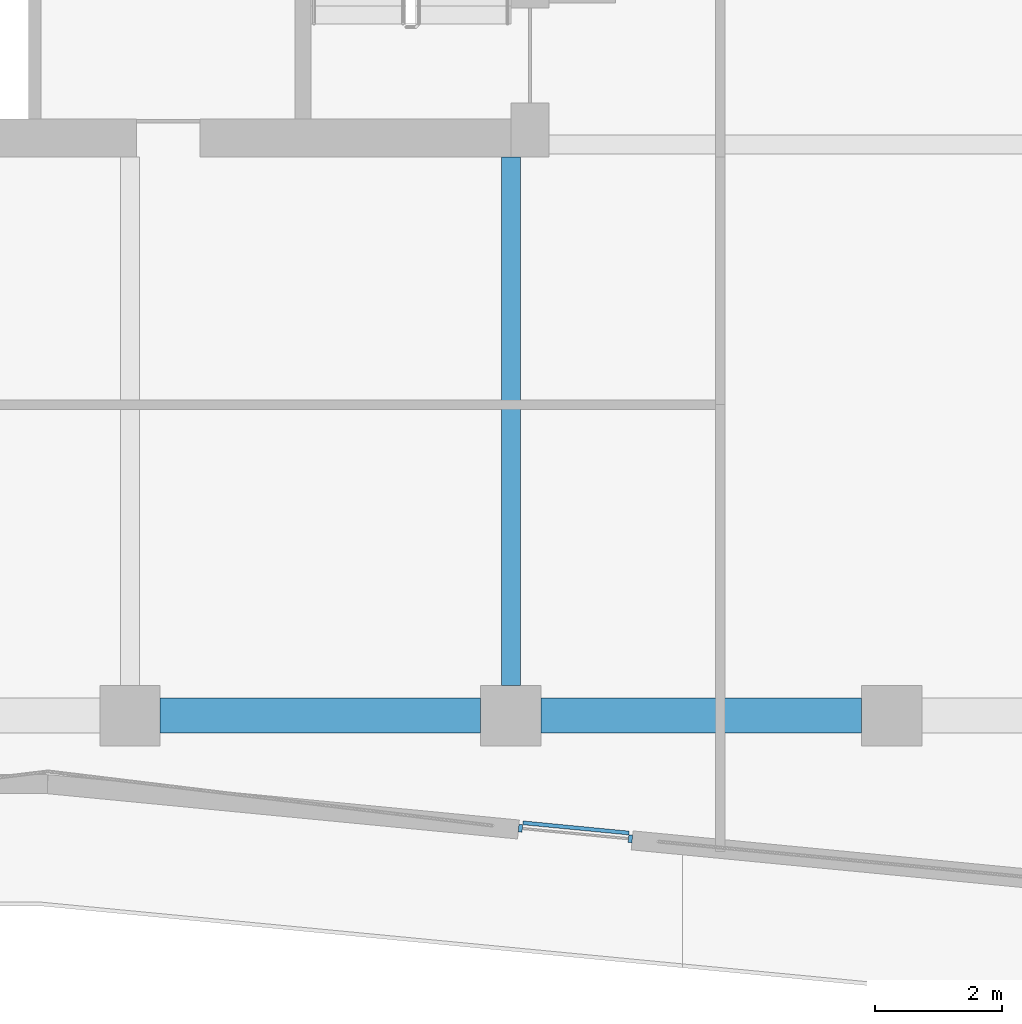
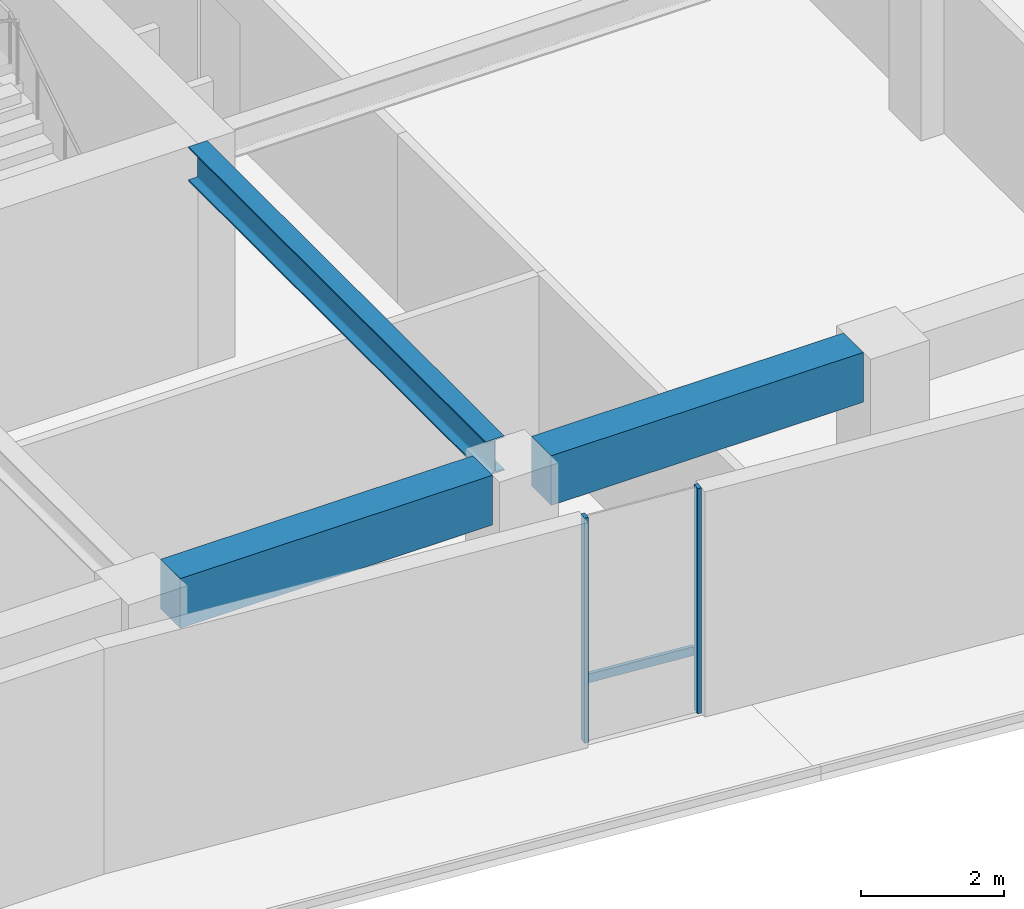
# One storey, part 3 of 23: 3 beams, 3 members, 1 element without a shape of its own.
"""IFC4 building model written with IfcOpenShell, lengths in metres."""

from ifc_helpers import new_model, si_unit, direction, frame, origin, origin_2d, place, context, subcontext, project, spatial, rectangle, i_section, extrude, material, layer, layer_set, material_profile, profile_set, type_object, element, aggregate, save


model = new_model("IFC4")

# Units and contexts
model_context = context("Model", 3, precision=1e-05, world=origin(), true_north=direction((0.0, 1.0)))
body_context = subcontext(model_context, "Body", "Model", "MODEL_VIEW")
ifc_project = project(units=[si_unit("LENGTHUNIT", "METRE"), si_unit("AREAUNIT", "SQUARE_METRE"), si_unit("VOLUMEUNIT", "CUBIC_METRE"), si_unit("PLANEANGLEUNIT", "RADIAN"), si_unit("MASSUNIT", "GRAM", prefix="KILO")], contexts=[model_context])

# Site, building, storey
site_placement = place(None, origin())
site = spatial("IfcSite", under=ifc_project, at=site_placement, CompositionType="ELEMENT")
building_placement = place(site_placement, origin())
building = spatial("IfcBuilding", under=site, at=building_placement, Name="Welwitschia Terrace Campus", CompositionType="ELEMENT")
storey_placement = place(building_placement, frame((0.0, 0.0, 146.60009765625)))
storey = spatial("IfcBuildingStorey", under=building, at=storey_placement, Name="L32", CompositionType="ELEMENT", Elevation=146.60009765625)

# Curtain wall, members
ifc_material_1 = material(Name="Bronze anodised aluminium", Category="aluminium")
ifc_layer = layer(ifc_material_1, 0.1201171875)
ifc_layer_set = layer_set([ifc_layer], Name="Bronze anodised aluminium")
curtain_wall_type = type_object("IfcCurtainWallType", Name="Curtain wall CW2 tower 6000", PredefinedType="NOTDEFINED", material=ifc_layer_set)
curtain_wall_placement = place(storey_placement, origin())
curtain_wall = element("IfcCurtainWall", 1, at=curtain_wall_placement, inside=storey, type_object=curtain_wall_type, Name="CW L32.4.S0", PredefinedType="NOTDEFINED")
ifc_material_2 = material(Name="Bronze anodised aluminium", Category="aluminium")
ifc_material_profile_1 = material_profile(ifc_material_2, rectangle(XDim=0.1201171875, YDim=0.06005859375, at=origin_2d()))
ifc_profile_set_1 = profile_set([ifc_material_profile_1], Name="Bronze anodised aluminium")
member_type_1 = type_object("IfcMemberType", Name="Mullion 60x120", PredefinedType="MULLION", material=ifc_profile_set_1)
member_1_placement = place(storey_placement, frame((24.151611328125, -5.775390625, 0.0), z_axis=(0.0, 0.0, 1.0), x_axis=(0.09584575252, 0.995396198367, 0.0)))
member_1 = element("IfcMember", 2, at=member_1_placement, type_object=member_type_1, Name="Mullion L32.4.S0.0", PredefinedType="MULLION", context=body_context, shape_type="SweptSolid", body=[
    extrude(rectangle(XDim=0.1201171875, YDim=0.06005859375, at=origin_2d()), origin(), (0.0, 0.0, 1.0), 3.849853515625),
])
member_2_placement = place(storey_placement, frame((25.883544921875, -5.942138671875, 0.0), z_axis=(0.0, 0.0, 1.0), x_axis=(0.09584575252, 0.995396198367, 0.0)))
member_2 = element("IfcMember", 3, at=member_2_placement, type_object=member_type_1, Name="Mullion L32.4.S0.1", PredefinedType="MULLION", context=body_context, shape_type="SweptSolid", body=[
    extrude(rectangle(XDim=0.1201171875, YDim=0.06005859375, at=origin_2d()), origin(), (0.0, 0.0, 1.0), 3.849853515625),
])

# Beams
ifc_material_3 = material(Name="Steel S355", Category="steel")
ifc_material_profile_2 = material_profile(ifc_material_3, i_section(OverallWidth=0.300048828125, OverallDepth=0.590087890625, WebThickness=0.012939453125, FlangeThickness=0.02490234375, FilletRadius=0.027099609375, at=origin_2d()))
ifc_profile_set_2 = profile_set([ifc_material_profile_2], Name="Steel S355")
beam_type_1 = type_object("IfcBeamType", Name="Primary beam HE 600 A", PredefinedType="BEAM", material=ifc_profile_set_2)
beam_placement = place(storey_placement, frame((24.0, -3.5244140625, 3.554931640625), z_axis=(0.0, 1.0, 0.0), x_axis=(-1.0, 0.0, 0.0)))
element("IfcBeam", 4, at=beam_placement, inside=storey, type_object=beam_type_1, Name="Primary beam PB4", PredefinedType="BEAM", context=body_context, shape_type="SweptSolid", body=[
    extrude(i_section(OverallWidth=0.300048828125, OverallDepth=0.590087890625, WebThickness=0.012939453125, FlangeThickness=0.02490234375, FilletRadius=0.027099609375, at=origin_2d()), origin(), (0.0, 0.0, 1.0), 8.324462890625),
])
ifc_material_4 = material(Name="Concrete C50/60", Category="concrete")
ifc_material_profile_3 = material_profile(ifc_material_4, rectangle(XDim=0.550048828125, YDim=0.85009765625, at=origin_2d()))
ifc_profile_set_3 = profile_set([ifc_material_profile_3], Name="Concrete C50/60")
beam_type_2 = type_object("IfcBeamType", Name="Ring spandrel 550x850", PredefinedType="SPANDREL", material=ifc_profile_set_3)
for number, where, z_axis, x_axis, name in (
    (5, (18.4755859375, -4.0, 3.4248046875), (1.0, 0.0, 0.0), (0.0, 1.0, 0.0), "Spandrel SP3"),
    (6, (24.4755859375, -4.0, 3.4248046875), (1.0, 0.0, 0.0), (0.0, 1.0, 0.0), "Spandrel SP3"),
):
    element("IfcBeam", number, at=place(storey_placement, frame(where, z_axis=z_axis, x_axis=x_axis)), inside=storey, type_object=beam_type_2, Name=name, PredefinedType="SPANDREL", context=body_context, shape_type="SweptSolid", body=[
        extrude(rectangle(XDim=0.550048828125, YDim=0.85009765625, at=origin_2d()), origin(), (0.0, 0.0, 1.0), 5.048828125),
    ])

# Member
ifc_material_5 = material(Name="Bronze anodised aluminium", Category="aluminium")
ifc_material_profile_4 = material_profile(ifc_material_5, rectangle(XDim=0.06005859375, YDim=0.14990234375, at=origin_2d()))
ifc_profile_set_4 = profile_set([ifc_material_profile_4], Name="Bronze anodised aluminium")
member_type_2 = type_object("IfcMemberType", Name="Transom 60x150", PredefinedType="USERDEFINED", material=ifc_profile_set_4)
member_3_placement = place(storey_placement, frame((24.190185546875, -5.688720703125, 1.0), z_axis=(0.995389036726, -0.095920099904, 0.0), x_axis=(0.095920099904, 0.995389036726, 0.0)))
member_3 = element("IfcMember", 7, at=member_3_placement, type_object=member_type_2, Name="Transom L32.4.S0", ObjectType="TRANSOM", PredefinedType="USERDEFINED", context=body_context, shape_type="SweptSolid", body=[
    extrude(rectangle(XDim=0.06005859375, YDim=0.14990234375, at=origin_2d()), origin(), (0.0, 0.0, 1.0), 1.679931640625),
])

aggregate(curtain_wall, [member_1, member_2, member_3])

save(model, "model.ifc")
